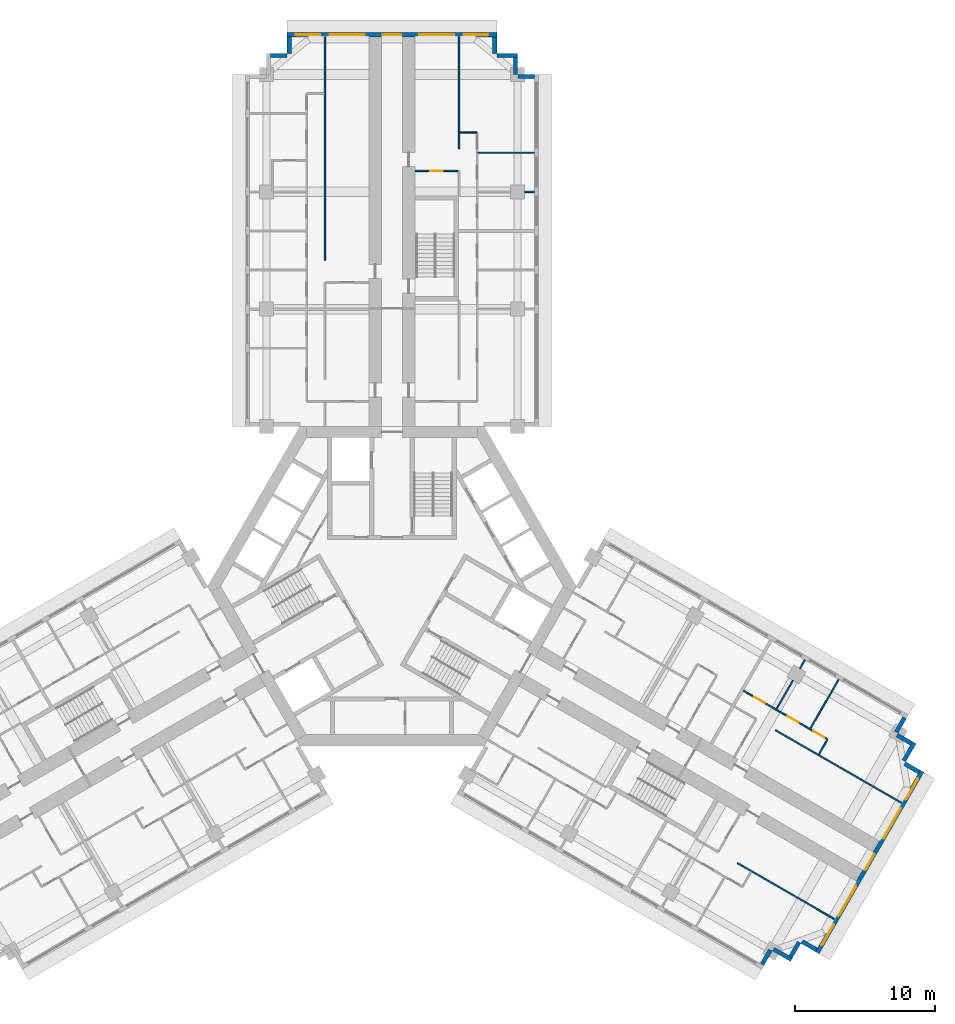
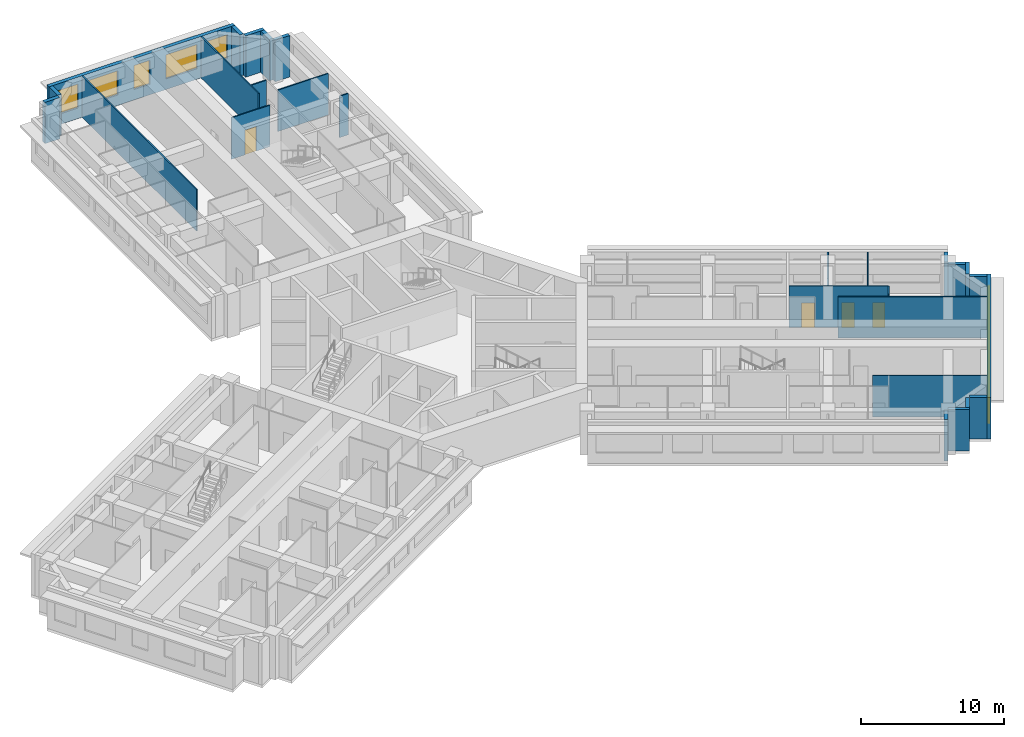
# One storey, part 10 of 12: 29 walls, 10 windows, 4 doors, 14 openings.
"""IFC4 building model written with IfcOpenShell, lengths in metres."""

from ifc_helpers import new_model, si_unit, direction, frame, frame_2d, origin, place, context, subcontext, project, spatial, rectangle, extrude, material, layer, layer_set, type_object, element, fill, save


model = new_model("IFC4")

# Units and contexts
model_context = context("Model", 3, precision=1e-05, world=origin(), true_north=direction((0.0, 1.0)))
body_context = subcontext(model_context, "Body", "Model", "MODEL_VIEW")
ifc_project = project(units=[si_unit("LENGTHUNIT", "METRE"), si_unit("AREAUNIT", "SQUARE_METRE"), si_unit("VOLUMEUNIT", "CUBIC_METRE"), si_unit("PLANEANGLEUNIT", "RADIAN"), si_unit("MASSUNIT", "GRAM", prefix="KILO")], contexts=[model_context])

# Site, building, storey
site_placement = place(None, origin())
site = spatial("IfcSite", under=ifc_project, at=site_placement, CompositionType="ELEMENT")
building_placement = place(site_placement, origin())
building = spatial("IfcBuilding", under=site, at=building_placement, Name="Impinga Residences", CompositionType="ELEMENT")
storey_placement = place(building_placement, frame((0.0, 0.0, 169.75)))
storey = spatial("IfcBuildingStorey", under=building, at=storey_placement, Name="L42", CompositionType="ELEMENT", Elevation=169.75)

# Walls
ifc_material_1 = material(Name="Terracotta rainscreen on blockwork", Category="masonry")
ifc_layer_1 = layer(ifc_material_1, 0.300048828125)
ifc_layer_set_1 = layer_set([ifc_layer_1], Name="EW1 external wall, terracotta rainscreen on blockwork 300")
wall_type_1 = type_object("IfcWallType", Name="EW1 external wall, terracotta rainscreen on blockwork 300", PredefinedType="SOLIDWALL", material=ifc_layer_set_1)
wall_1_placement = place(storey_placement, frame((-8.699951171875, 37.9814453125, 0.0), z_axis=(0.0, 0.0, 1.0), x_axis=(1.0, 0.0, 0.0)))
element("IfcWall", 1, at=wall_1_placement, inside=storey, type_object=wall_type_1, Name="External wall EW1 L42", PredefinedType="SOLIDWALL", context=body_context, shape_type="SweptSolid", body=[
    extrude(rectangle(XDim=1.199951171875, YDim=0.300048828125, at=frame_2d((0.60009765625, 0.0))), origin(), (0.0, 0.0, 1.0), 3.530029296875),
])
wall_2_placement = place(storey_placement, frame((-7.35009765625, 38.136474609375, 0.0), z_axis=(0.0, 0.0, 1.0), x_axis=(0.0, 1.0, 0.0)))
element("IfcWall", 2, at=wall_2_placement, inside=storey, type_object=wall_type_1, Name="External wall EW1 L42", PredefinedType="SOLIDWALL", context=body_context, shape_type="SweptSolid", body=[
    extrude(rectangle(XDim=1.195068359375, YDim=0.300048828125, at=frame_2d((0.59765625, 0.0))), origin(), (0.0, 0.0, 1.0), 3.530029296875),
])

# Wall, openings, windows
wall_3_placement = place(storey_placement, frame((-7.5, 39.4814453125, 0.0), z_axis=(0.0, 0.0, 1.0), x_axis=(1.0, 0.0, 0.0)))
wall_3 = element("IfcWall", 3, at=wall_3_placement, inside=storey, type_object=wall_type_1, Name="External wall EW1 L42", PredefinedType="SOLIDWALL", context=body_context, shape_type="SweptSolid", body=[
    extrude(rectangle(XDim=15.0, YDim=0.300048828125, at=frame_2d((7.5, 0.0))), origin(), (0.0, 0.0, 1.0), 3.530029296875),
])
opening_1_placement = place(wall_3_placement, frame((0.60009765625, 0.0, 0.89990234375)))
opening_1 = element("IfcOpeningElement", 4, at=opening_1_placement, cuts=wall_3, Name="Opening W1", PredefinedType="OPENING", context=body_context, shape_type="SweptSolid", body=[
    extrude(rectangle(XDim=1.75, YDim=2.050048828125, at=frame_2d((0.875, 1.02490234375))), frame((0.0, 0.159912109375, 0.0), z_axis=(0.0, -1.0, 0.0), x_axis=(1.0, 0.0, 0.0)), (0.0, 0.0, 1.0), 0.320068359375),
])
opening_2_placement = place(wall_3_placement, frame((3.050048828125, 0.0, 0.89990234375)))
opening_2 = element("IfcOpeningElement", 5, at=opening_2_placement, cuts=wall_3, Name="Opening W2", PredefinedType="OPENING", context=body_context, shape_type="SweptSolid", body=[
    extrude(rectangle(XDim=2.5, YDim=2.050048828125, at=frame_2d((1.25, 1.02490234375))), frame((0.0, 0.159912109375, 0.0), z_axis=(0.0, -1.0, 0.0), x_axis=(1.0, 0.0, 0.0)), (0.0, 0.0, 1.0), 0.320068359375),
])
opening_3_placement = place(wall_3_placement, frame((6.85009765625, 0.0, 0.89990234375)))
opening_3 = element("IfcOpeningElement", 6, at=opening_3_placement, cuts=wall_3, Name="Opening WE1", PredefinedType="OPENING", context=body_context, shape_type="SweptSolid", body=[
    extrude(rectangle(XDim=1.300048828125, YDim=2.050048828125, at=frame_2d((0.64990234375, 1.02490234375))), frame((0.0, 0.159912109375, 0.0), z_axis=(0.0, -1.0, 0.0), x_axis=(1.0, 0.0, 0.0)), (0.0, 0.0, 1.0), 0.320068359375),
])
opening_4_placement = place(wall_3_placement, frame((9.449951171875, 0.0, 0.89990234375)))
opening_4 = element("IfcOpeningElement", 7, at=opening_4_placement, cuts=wall_3, Name="Opening W2", PredefinedType="OPENING", context=body_context, shape_type="SweptSolid", body=[
    extrude(rectangle(XDim=2.5, YDim=2.050048828125, at=frame_2d((1.25, 1.02490234375))), frame((0.0, 0.159912109375, 0.0), z_axis=(0.0, -1.0, 0.0), x_axis=(1.0, 0.0, 0.0)), (0.0, 0.0, 1.0), 0.320068359375),
])
opening_5_placement = place(wall_3_placement, frame((12.64990234375, 0.0, 0.89990234375)))
opening_5 = element("IfcOpeningElement", 8, at=opening_5_placement, cuts=wall_3, Name="Opening W1", PredefinedType="OPENING", context=body_context, shape_type="SweptSolid", body=[
    extrude(rectangle(XDim=1.75, YDim=2.050048828125, at=frame_2d((0.875, 1.02490234375))), frame((0.0, 0.159912109375, 0.0), z_axis=(0.0, -1.0, 0.0), x_axis=(1.0, 0.0, 0.0)), (0.0, 0.0, 1.0), 0.320068359375),
])
ifc_material_2 = material(Name="Aluminium window, clear double glazing", Category="aluminium")
window_type_1 = type_object("IfcWindowType", Name="W1 ribbon window 1750x2050", PartitioningType="SINGLE_PANEL", PredefinedType="WINDOW", material=ifc_material_2)
window_1_placement = place(opening_1_placement, origin())
window_1 = element("IfcWindow", 9, at=window_1_placement, inside=storey, type_object=window_type_1, Name="Window L42", OverallHeight=2.050048828125, OverallWidth=1.75, PartitioningType="SINGLE_PANEL", PredefinedType="WINDOW", context=body_context, shape_type="SweptSolid", body=[
    extrude(rectangle(XDim=1.75, YDim=2.050048828125, at=frame_2d((0.875, 1.02490234375))), frame((0.0, 0.030029296875, 0.0), z_axis=(0.0, -1.0, 0.0), x_axis=(1.0, 0.0, 0.0)), (0.0, 0.0, 1.0), 0.06005859375),
])
fill(opening_1, window_1)
window_2_placement = place(opening_5_placement, origin())
window_2 = element("IfcWindow", 10, at=window_2_placement, inside=storey, type_object=window_type_1, Name="Window L42", OverallHeight=2.050048828125, OverallWidth=1.75, PartitioningType="SINGLE_PANEL", PredefinedType="WINDOW", context=body_context, shape_type="SweptSolid", body=[
    extrude(rectangle(XDim=1.75, YDim=2.050048828125, at=frame_2d((0.875, 1.02490234375))), frame((0.0, 0.030029296875, 0.0), z_axis=(0.0, -1.0, 0.0), x_axis=(1.0, 0.0, 0.0)), (0.0, 0.0, 1.0), 0.06005859375),
])
fill(opening_5, window_2)
window_type_2 = type_object("IfcWindowType", Name="W2 ribbon window 2500x2050", PartitioningType="SINGLE_PANEL", PredefinedType="WINDOW", material=ifc_material_2)
window_3_placement = place(opening_2_placement, origin())
window_3 = element("IfcWindow", 11, at=window_3_placement, inside=storey, type_object=window_type_2, Name="Window L42", OverallHeight=2.050048828125, OverallWidth=2.5, PartitioningType="SINGLE_PANEL", PredefinedType="WINDOW", context=body_context, shape_type="SweptSolid", body=[
    extrude(rectangle(XDim=2.5, YDim=2.050048828125, at=frame_2d((1.25, 1.02490234375))), frame((0.0, 0.030029296875, 0.0), z_axis=(0.0, -1.0, 0.0), x_axis=(1.0, 0.0, 0.0)), (0.0, 0.0, 1.0), 0.06005859375),
])
fill(opening_2, window_3)
window_4_placement = place(opening_4_placement, origin())
window_4 = element("IfcWindow", 12, at=window_4_placement, inside=storey, type_object=window_type_2, Name="Window L42", OverallHeight=2.050048828125, OverallWidth=2.5, PartitioningType="SINGLE_PANEL", PredefinedType="WINDOW", context=body_context, shape_type="SweptSolid", body=[
    extrude(rectangle(XDim=2.5, YDim=2.050048828125, at=frame_2d((1.25, 1.02490234375))), frame((0.0, 0.030029296875, 0.0), z_axis=(0.0, -1.0, 0.0), x_axis=(1.0, 0.0, 0.0)), (0.0, 0.0, 1.0), 0.06005859375),
])
fill(opening_4, window_4)
window_type_3 = type_object("IfcWindowType", Name="WE1 corridor window 1300x2050", PartitioningType="SINGLE_PANEL", PredefinedType="WINDOW", material=ifc_material_2)
window_5_placement = place(opening_3_placement, origin())
window_5 = element("IfcWindow", 13, at=window_5_placement, inside=storey, type_object=window_type_3, Name="Window L42", OverallHeight=2.050048828125, OverallWidth=1.300048828125, PartitioningType="SINGLE_PANEL", PredefinedType="WINDOW", context=body_context, shape_type="SweptSolid", body=[
    extrude(rectangle(XDim=1.300048828125, YDim=2.050048828125, at=frame_2d((0.64990234375, 1.02490234375))), frame((0.0, 0.030029296875, 0.0), z_axis=(0.0, -1.0, 0.0), x_axis=(1.0, 0.0, 0.0)), (0.0, 0.0, 1.0), 0.06005859375),
])
fill(opening_3, window_5)

# Walls
wall_4_placement = place(storey_placement, frame((7.35009765625, 39.33154296875, 0.0), z_axis=(0.0, 0.0, 1.0), x_axis=(0.0, -1.0, 0.0)))
element("IfcWall", 14, at=wall_4_placement, inside=storey, type_object=wall_type_1, Name="External wall EW1 L42", PredefinedType="SOLIDWALL", context=body_context, shape_type="SweptSolid", body=[
    extrude(rectangle(XDim=1.195068359375, YDim=0.300048828125, at=frame_2d((0.59765625, 0.0))), origin(), (0.0, 0.0, 1.0), 3.530029296875),
])
wall_5_placement = place(storey_placement, frame((7.5, 37.9814453125, 0.0), z_axis=(0.0, 0.0, 1.0), x_axis=(1.0, 0.0, 0.0)))
element("IfcWall", 15, at=wall_5_placement, inside=storey, type_object=wall_type_1, Name="External wall EW1 L42", PredefinedType="SOLIDWALL", context=body_context, shape_type="SweptSolid", body=[
    extrude(rectangle(XDim=1.5, YDim=0.300048828125, at=frame_2d((0.75, 0.0))), origin(), (0.0, 0.0, 1.0), 3.530029296875),
])
wall_6_placement = place(storey_placement, frame((8.85009765625, 37.83154296875, 0.0), z_axis=(0.0, 0.0, 1.0), x_axis=(0.0, -1.0, 0.0)))
element("IfcWall", 16, at=wall_6_placement, inside=storey, type_object=wall_type_1, Name="External wall EW1 L42", PredefinedType="SOLIDWALL", context=body_context, shape_type="SweptSolid", body=[
    extrude(rectangle(XDim=1.199951171875, YDim=0.300048828125, at=frame_2d((0.60009765625, 0.0))), origin(), (0.0, 0.0, 1.0), 3.530029296875),
])
wall_7_placement = place(storey_placement, frame((9.0048828125, 36.4814453125, 0.0), z_axis=(0.0, 0.0, 1.0), x_axis=(1.0, 0.0, 0.0)))
element("IfcWall", 17, at=wall_7_placement, inside=storey, type_object=wall_type_1, Name="External wall EW1 L42", PredefinedType="SOLIDWALL", context=body_context, shape_type="SweptSolid", body=[
    extrude(rectangle(XDim=1.195068359375, YDim=0.300048828125, at=frame_2d((0.59765625, 0.0))), origin(), (0.0, 0.0, 1.0), 3.530029296875),
])
wall_8_placement = place(storey_placement, frame((36.69384765625, -9.4072265625, 0.0), z_axis=(0.0, 0.0, 1.0), x_axis=(-0.499880961361, -0.866094119867, 0.0)))
element("IfcWall", 18, at=wall_8_placement, inside=storey, type_object=wall_type_1, Name="External wall EW1 L42", PredefinedType="SOLIDWALL", context=body_context, shape_type="SweptSolid", body=[
    extrude(rectangle(XDim=1.199951171875, YDim=0.300048828125, at=frame_2d((0.60009765625, 0.0))), origin(), (0.0, 0.0, 1.0), 3.530029296875),
])
wall_9_placement = place(storey_placement, frame((36.153076171875, -10.654052734375, 0.0), z_axis=(0.0, 0.0, 1.0), x_axis=(0.866059708757, -0.499940577336, 0.0)))
element("IfcWall", 19, at=wall_9_placement, inside=storey, type_object=wall_type_1, Name="External wall EW1 L42", PredefinedType="SOLIDWALL", context=body_context, shape_type="SweptSolid", body=[
    extrude(rectangle(XDim=1.195068359375, YDim=0.300048828125, at=frame_2d((0.59765625, 0.0))), origin(), (0.0, 0.0, 1.0), 3.530029296875),
])
wall_10_placement = place(storey_placement, frame((37.39306640625, -11.196533203125, 0.0), z_axis=(0.0, 0.0, 1.0), x_axis=(-0.499990139034, -0.866031096941, 0.0)))
element("IfcWall", 20, at=wall_10_placement, inside=storey, type_object=wall_type_1, Name="External wall EW1 L42", PredefinedType="SOLIDWALL", context=body_context, shape_type="SweptSolid", body=[
    extrude(rectangle(XDim=1.5, YDim=0.300048828125, at=frame_2d((0.75, 0.0))), origin(), (0.0, 0.0, 1.0), 3.530029296875),
])
wall_11_placement = place(storey_placement, frame((36.7021484375, -12.702880859375, 0.0), z_axis=(0.0, 0.0, 1.0), x_axis=(0.865971243484, -0.500093796661, 0.0)))
element("IfcWall", 21, at=wall_11_placement, inside=storey, type_object=wall_type_1, Name="External wall EW1 L42", PredefinedType="SOLIDWALL", context=body_context, shape_type="SweptSolid", body=[
    extrude(rectangle(XDim=1.195068359375, YDim=0.300048828125, at=frame_2d((0.59765625, 0.0))), origin(), (0.0, 0.0, 1.0), 3.530029296875),
])

# Wall, openings, windows
wall_12_placement = place(storey_placement, frame((37.94189453125, -13.24560546875, 0.0), z_axis=(0.0, 0.0, 1.0), x_axis=(-0.500004234368, -0.866022959057, 0.0)))
wall_12 = element("IfcWall", 22, at=wall_12_placement, inside=storey, type_object=wall_type_1, Name="External wall EW1 L42", PredefinedType="SOLIDWALL", context=body_context, shape_type="SweptSolid", body=[
    extrude(rectangle(XDim=14.999755859375, YDim=0.300048828125, at=frame_2d((7.5, 0.0))), origin(), (0.0, 0.0, 1.0), 3.530029296875),
])
opening_6_placement = place(wall_12_placement, frame((0.60009765625, 0.0, 0.89990234375)))
opening_6 = element("IfcOpeningElement", 23, at=opening_6_placement, cuts=wall_12, Name="Opening W1", PredefinedType="OPENING", context=body_context, shape_type="SweptSolid", body=[
    extrude(rectangle(XDim=1.75, YDim=2.050048828125, at=frame_2d((0.875, 1.02490234375))), frame((0.0, 0.159912109375, 0.0), z_axis=(0.0, -1.0, 0.0), x_axis=(1.0, 0.0, 0.0)), (0.0, 0.0, 1.0), 0.320068359375),
])
opening_7_placement = place(wall_12_placement, frame((3.050048828125, 0.0, 0.89990234375)))
opening_7 = element("IfcOpeningElement", 24, at=opening_7_placement, cuts=wall_12, Name="Opening W2", PredefinedType="OPENING", context=body_context, shape_type="SweptSolid", body=[
    extrude(rectangle(XDim=2.5, YDim=2.050048828125, at=frame_2d((1.25, 1.02490234375))), frame((0.0, 0.159912109375, 0.0), z_axis=(0.0, -1.0, 0.0), x_axis=(1.0, 0.0, 0.0)), (0.0, 0.0, 1.0), 0.320068359375),
])
opening_8_placement = place(wall_12_placement, frame((6.85009765625, 0.0, 0.89990234375)))
opening_8 = element("IfcOpeningElement", 25, at=opening_8_placement, cuts=wall_12, Name="Opening W17", PredefinedType="OPENING", context=body_context, shape_type="SweptSolid", body=[
    extrude(rectangle(XDim=1.300048828125, YDim=2.050048828125, at=frame_2d((0.64990234375, 1.02490234375))), frame((0.0, 0.159912109375, 0.0), z_axis=(0.0, -1.0, 0.0), x_axis=(1.0, 0.0, 0.0)), (0.0, 0.0, 1.0), 0.320068359375),
])
opening_9_placement = place(wall_12_placement, frame((9.449951171875, 0.0, 0.89990234375)))
opening_9 = element("IfcOpeningElement", 26, at=opening_9_placement, cuts=wall_12, Name="Opening W2", PredefinedType="OPENING", context=body_context, shape_type="SweptSolid", body=[
    extrude(rectangle(XDim=2.5, YDim=2.050048828125, at=frame_2d((1.25, 1.02490234375))), frame((0.0, 0.159912109375, 0.0), z_axis=(0.0, -1.0, 0.0), x_axis=(1.0, 0.0, 0.0)), (0.0, 0.0, 1.0), 0.320068359375),
])
opening_10_placement = place(wall_12_placement, frame((12.64990234375, 0.0, 0.89990234375)))
opening_10 = element("IfcOpeningElement", 27, at=opening_10_placement, cuts=wall_12, Name="Opening W1", PredefinedType="OPENING", context=body_context, shape_type="SweptSolid", body=[
    extrude(rectangle(XDim=1.75, YDim=2.050048828125, at=frame_2d((0.875, 1.02490234375))), frame((0.0, 0.159912109375, 0.0), z_axis=(0.0, -1.0, 0.0), x_axis=(1.0, 0.0, 0.0)), (0.0, 0.0, 1.0), 0.320068359375),
])
window_6_placement = place(opening_6_placement, origin())
window_6 = element("IfcWindow", 28, at=window_6_placement, inside=storey, type_object=window_type_1, Name="Window L42", OverallHeight=2.050048828125, OverallWidth=1.75, PartitioningType="SINGLE_PANEL", PredefinedType="WINDOW", context=body_context, shape_type="SweptSolid", body=[
    extrude(rectangle(XDim=1.75, YDim=2.050048828125, at=frame_2d((0.875, 1.02490234375))), frame((0.0, 0.030029296875, 0.0), z_axis=(0.0, -1.0, 0.0), x_axis=(1.0, 0.0, 0.0)), (0.0, 0.0, 1.0), 0.06005859375),
])
fill(opening_6, window_6)
window_7_placement = place(opening_10_placement, origin())
window_7 = element("IfcWindow", 29, at=window_7_placement, inside=storey, type_object=window_type_1, Name="Window L42", OverallHeight=2.050048828125, OverallWidth=1.75, PartitioningType="SINGLE_PANEL", PredefinedType="WINDOW", context=body_context, shape_type="SweptSolid", body=[
    extrude(rectangle(XDim=1.75, YDim=2.050048828125, at=frame_2d((0.875, 1.02490234375))), frame((0.0, 0.030029296875, 0.0), z_axis=(0.0, -1.0, 0.0), x_axis=(1.0, 0.0, 0.0)), (0.0, 0.0, 1.0), 0.06005859375),
])
fill(opening_10, window_7)
window_type_4 = type_object("IfcWindowType", Name="W17 ribbon window 1300x2050", PartitioningType="SINGLE_PANEL", PredefinedType="WINDOW", material=ifc_material_2)
window_8_placement = place(opening_8_placement, origin())
window_8 = element("IfcWindow", 30, at=window_8_placement, inside=storey, type_object=window_type_4, Name="Window L42", OverallHeight=2.050048828125, OverallWidth=1.300048828125, PartitioningType="SINGLE_PANEL", PredefinedType="WINDOW", context=body_context, shape_type="SweptSolid", body=[
    extrude(rectangle(XDim=1.300048828125, YDim=2.050048828125, at=frame_2d((0.64990234375, 1.02490234375))), frame((0.0, 0.030029296875, 0.0), z_axis=(0.0, -1.0, 0.0), x_axis=(1.0, 0.0, 0.0)), (0.0, 0.0, 1.0), 0.06005859375),
])
fill(opening_8, window_8)
window_9_placement = place(opening_7_placement, origin())
window_9 = element("IfcWindow", 31, at=window_9_placement, inside=storey, type_object=window_type_2, Name="Window L42", OverallHeight=2.050048828125, OverallWidth=2.5, PartitioningType="SINGLE_PANEL", PredefinedType="WINDOW", context=body_context, shape_type="SweptSolid", body=[
    extrude(rectangle(XDim=2.5, YDim=2.050048828125, at=frame_2d((1.25, 1.02490234375))), frame((0.0, 0.030029296875, 0.0), z_axis=(0.0, -1.0, 0.0), x_axis=(1.0, 0.0, 0.0)), (0.0, 0.0, 1.0), 0.06005859375),
])
fill(opening_7, window_9)
window_10_placement = place(opening_9_placement, origin())
window_10 = element("IfcWindow", 32, at=window_10_placement, inside=storey, type_object=window_type_2, Name="Window L42", OverallHeight=2.050048828125, OverallWidth=2.5, PartitioningType="SINGLE_PANEL", PredefinedType="WINDOW", context=body_context, shape_type="SweptSolid", body=[
    extrude(rectangle(XDim=2.5, YDim=2.050048828125, at=frame_2d((1.25, 1.02490234375))), frame((0.0, 0.030029296875, 0.0), z_axis=(0.0, -1.0, 0.0), x_axis=(1.0, 0.0, 0.0)), (0.0, 0.0, 1.0), 0.06005859375),
])
fill(opening_9, window_10)

# Walls
wall_13_placement = place(storey_placement, frame((30.38720703125, -26.031005859375, 0.0), z_axis=(0.0, 0.0, 1.0), x_axis=(-0.866059708757, 0.499940577336, 0.0)))
element("IfcWall", 33, at=wall_13_placement, inside=storey, type_object=wall_type_1, Name="External wall EW1 L42", PredefinedType="SOLIDWALL", context=body_context, shape_type="SweptSolid", body=[
    extrude(rectangle(XDim=1.195068359375, YDim=0.300048828125, at=frame_2d((0.59765625, 0.0))), origin(), (0.0, 0.0, 1.0), 3.530029296875),
])
wall_14_placement = place(storey_placement, frame((29.14306640625, -25.48583984375, 0.0), z_axis=(0.0, 0.0, 1.0), x_axis=(-0.500033551112, -0.866006032174, 0.0)))
element("IfcWall", 34, at=wall_14_placement, inside=storey, type_object=wall_type_1, Name="External wall EW1 L42", PredefinedType="SOLIDWALL", context=body_context, shape_type="SweptSolid", body=[
    extrude(rectangle(XDim=1.2001953125, YDim=0.300048828125, at=frame_2d((0.60009765625, 0.0))), origin(), (0.0, 0.0, 1.0), 3.530029296875),
])
wall_15_placement = place(storey_placement, frame((28.597900390625, -26.72998046875, 0.0), z_axis=(0.0, 0.0, 1.0), x_axis=(-0.866031096941, 0.499990139034, 0.0)))
element("IfcWall", 35, at=wall_15_placement, inside=storey, type_object=wall_type_1, Name="External wall EW1 L42", PredefinedType="SOLIDWALL", context=body_context, shape_type="SweptSolid", body=[
    extrude(rectangle(XDim=1.5, YDim=0.300048828125, at=frame_2d((0.75, 0.0))), origin(), (0.0, 0.0, 1.0), 3.530029296875),
])
wall_16_placement = place(storey_placement, frame((27.091552734375, -26.039306640625, 0.0), z_axis=(0.0, 0.0, 1.0), x_axis=(-0.500093796661, -0.865971243484, 0.0)))
element("IfcWall", 36, at=wall_16_placement, inside=storey, type_object=wall_type_1, Name="External wall EW1 L42", PredefinedType="SOLIDWALL", context=body_context, shape_type="SweptSolid", body=[
    extrude(rectangle(XDim=1.195068359375, YDim=0.300048828125, at=frame_2d((0.59765625, 0.0))), origin(), (0.0, 0.0, 1.0), 3.530029296875),
])
ifc_material_3 = material(Name="Gypsum board on steel studs", Category="steel")
ifc_layer_2 = layer(ifc_material_3, 0.10009765625)
ifc_layer_set_2 = layer_set([ifc_layer_2], Name="Gypsum board on steel studs")
wall_type_2 = type_object("IfcWallType", Name="IP1 partition 100", PredefinedType="PARTITIONING", material=ifc_layer_set_2)
wall_17_placement = place(storey_placement, frame((-4.800048828125, 23.33154296875, 0.0), z_axis=(0.0, 0.0, 1.0), x_axis=(0.0, 1.0, 0.0)))
element("IfcWall", 37, at=wall_17_placement, inside=storey, type_object=wall_type_2, Name="Partition L42-NA2:DIV1", PredefinedType="PARTITIONING", context=body_context, shape_type="SweptSolid", body=[
    extrude(rectangle(XDim=16.0, YDim=0.10009765625, at=frame_2d((8.0, 0.0))), origin(), (0.0, 0.0, 1.0), 3.530029296875),
])
wall_18_placement = place(storey_placement, frame((4.800048828125, 31.33154296875, 0.0), z_axis=(0.0, 0.0, 1.0), x_axis=(0.0, 1.0, 0.0)))
element("IfcWall", 38, at=wall_18_placement, inside=storey, type_object=wall_type_2, Name="Partition L42-NF2:DIV1", PredefinedType="PARTITIONING", context=body_context, shape_type="SweptSolid", body=[
    extrude(rectangle(XDim=8.0, YDim=0.10009765625, at=frame_2d((4.0, 0.0))), origin(), (0.0, 0.0, 1.0), 3.530029296875),
])
wall_19_placement = place(storey_placement, frame((4.85009765625, 32.4814453125, 0.0), z_axis=(0.0, 0.0, 1.0), x_axis=(1.0, 0.0, 0.0)))
element("IfcWall", 39, at=wall_19_placement, inside=storey, type_object=wall_type_2, Name="Partition L42-NF2:SE1", PredefinedType="PARTITIONING", context=body_context, shape_type="SweptSolid", body=[
    extrude(rectangle(XDim=1.199951171875, YDim=0.10009765625, at=frame_2d((0.60009765625, 0.0))), origin(), (0.0, 0.0, 1.0), 3.530029296875),
])

# Wall, opening, door
wall_20_placement = place(storey_placement, frame((1.64990234375, 29.7314453125, 0.0), z_axis=(0.0, 0.0, 1.0), x_axis=(1.0, 0.0, 0.0)))
wall_20 = element("IfcWall", 40, at=wall_20_placement, inside=storey, type_object=wall_type_2, Name="Partition L42-NF2:IB1", PredefinedType="PARTITIONING", context=body_context, shape_type="SweptSolid", body=[
    extrude(rectangle(XDim=3.10009765625, YDim=0.10009765625, at=frame_2d((1.550048828125, 0.0))), origin(), (0.0, 0.0, 1.0), 3.530029296875),
])
opening_11_placement = place(wall_20_placement, frame((1.10009765625, 0.0, 0.0)))
opening_11 = element("IfcOpeningElement", 41, at=opening_11_placement, cuts=wall_20, Name="Opening D2", PredefinedType="OPENING", context=body_context, shape_type="SweptSolid", body=[
    extrude(rectangle(XDim=0.89990234375, YDim=2.10009765625, at=frame_2d((0.449951171875, 1.050048828125))), frame((0.0, 0.06005859375, 0.0), z_axis=(0.0, -1.0, 0.0), x_axis=(1.0, 0.0, 0.0)), (0.0, 0.0, 1.0), 0.1201171875),
])
ifc_material_4 = material(Name="Timber door set", Category="wood")
door_type = type_object("IfcDoorType", Name="D2 internal door 900x2100", OperationType="SINGLE_SWING_LEFT", PredefinedType="DOOR", material=ifc_material_4)
door_1_placement = place(opening_11_placement, origin())
door_1 = element("IfcDoor", 42, at=door_1_placement, inside=storey, type_object=door_type, Name="Apartment L42-NF2 bathroom door", OperationType="SINGLE_SWING_LEFT", OverallHeight=2.10009765625, OverallWidth=0.89990234375, PredefinedType="DOOR", context=body_context, shape_type="SweptSolid", body=[
    extrude(rectangle(XDim=0.89990234375, YDim=2.10009765625, at=frame_2d((0.449951171875, 1.050048828125))), frame((0.0, 0.02490234375, 0.0), z_axis=(0.0, -1.0, 0.0), x_axis=(1.0, 0.0, 0.0)), (0.0, 0.0, 1.0), 0.050048828125),
])
fill(opening_11, door_1)

# Walls
wall_21_placement = place(storey_placement, frame((9.5, 28.2314453125, 0.0), z_axis=(0.0, 0.0, 1.0), x_axis=(1.0, 0.0, 0.0)))
element("IfcWall", 43, at=wall_21_placement, inside=storey, type_object=wall_type_2, Name="Partition L42-NF2:OB1b", PredefinedType="PARTITIONING", context=body_context, shape_type="SweptSolid", body=[
    extrude(rectangle(XDim=0.699951171875, YDim=0.10009765625, at=frame_2d((0.35009765625, 0.0))), origin(), (0.0, 0.0, 1.0), 3.530029296875),
])
wall_22_placement = place(storey_placement, frame((6.14990234375, 31.031494140625, 0.0), z_axis=(0.0, 0.0, 1.0), x_axis=(1.0, 0.0, 0.0)))
element("IfcWall", 44, at=wall_22_placement, inside=storey, type_object=wall_type_2, Name="Partition L42-NF2:OB2", PredefinedType="PARTITIONING", context=body_context, shape_type="SweptSolid", body=[
    extrude(rectangle(XDim=4.050048828125, YDim=0.10009765625, at=frame_2d((2.02490234375, 0.0))), origin(), (0.0, 0.0, 1.0), 3.530029296875),
])
wall_23_placement = place(storey_placement, frame((27.45556640625, -10.308837890625, 0.0), z_axis=(0.0, 0.0, 1.0), x_axis=(0.866025696342, -0.499999493275, 0.0)))
element("IfcWall", 45, at=wall_23_placement, inside=storey, type_object=wall_type_2, Name="Partition L42-EA3:DIV1", PredefinedType="PARTITIONING", context=body_context, shape_type="SweptSolid", body=[
    extrude(rectangle(XDim=10.39990234375, YDim=0.10009765625, at=frame_2d((5.199951171875, 0.0))), origin(), (0.0, 0.0, 1.0), 3.530029296875),
])

# Wall, openings, doors
wall_24_placement = place(storey_placement, frame((25.160888671875, -7.48291015625, 0.0), z_axis=(0.0, 0.0, 1.0), x_axis=(0.866025305473, -0.500000170281, 0.0)))
wall_24 = element("IfcWall", 46, at=wall_24_placement, inside=storey, type_object=wall_type_2, Name="Partition L42-EA3:STRIP", PredefinedType="PARTITIONING", context=body_context, shape_type="SweptSolid", body=[
    extrude(rectangle(XDim=6.9501953125, YDim=0.10009765625, at=frame_2d((3.47509765625, 0.0))), origin(), (0.0, 0.0, 1.0), 3.530029296875),
])
opening_12_placement = place(wall_24_placement, frame((0.875, 0.0, 0.0)))
opening_12 = element("IfcOpeningElement", 47, at=opening_12_placement, cuts=wall_24, Name="Opening D2", PredefinedType="OPENING", context=body_context, shape_type="SweptSolid", body=[
    extrude(rectangle(XDim=0.89990234375, YDim=2.10009765625, at=frame_2d((0.449951171875, 1.050048828125))), frame((0.0, 0.06005859375, 0.0), z_axis=(0.0, -1.0, 0.0), x_axis=(1.0, 0.0, 0.0)), (0.0, 0.0, 1.0), 0.1201171875),
])
opening_13_placement = place(wall_24_placement, frame((3.64990234375, 0.0, 0.0)))
opening_13 = element("IfcOpeningElement", 48, at=opening_13_placement, cuts=wall_24, Name="Opening D2", PredefinedType="OPENING", context=body_context, shape_type="SweptSolid", body=[
    extrude(rectangle(XDim=0.89990234375, YDim=2.10009765625, at=frame_2d((0.449951171875, 1.050048828125))), frame((0.0, 0.06005859375, 0.0), z_axis=(0.0, -1.0, 0.0), x_axis=(1.0, 0.0, 0.0)), (0.0, 0.0, 1.0), 0.1201171875),
])
opening_14_placement = place(wall_24_placement, frame((5.800048828125, 0.0, 0.0)))
opening_14 = element("IfcOpeningElement", 49, at=opening_14_placement, cuts=wall_24, Name="Opening D2", PredefinedType="OPENING", context=body_context, shape_type="SweptSolid", body=[
    extrude(rectangle(XDim=0.89990234375, YDim=2.10009765625, at=frame_2d((0.449951171875, 1.050048828125))), frame((0.0, 0.06005859375, 0.0), z_axis=(0.0, -1.0, 0.0), x_axis=(1.0, 0.0, 0.0)), (0.0, 0.0, 1.0), 0.1201171875),
])
door_2_placement = place(opening_12_placement, origin())
door_2 = element("IfcDoor", 50, at=door_2_placement, inside=storey, type_object=door_type, Name="Apartment L42-EA3 room door", OperationType="SINGLE_SWING_LEFT", OverallHeight=2.10009765625, OverallWidth=0.89990234375, PredefinedType="DOOR", context=body_context, shape_type="SweptSolid", body=[
    extrude(rectangle(XDim=0.89990234375, YDim=2.10009765625, at=frame_2d((0.449951171875, 1.050048828125))), frame((0.0, 0.02490234375, 0.0), z_axis=(0.0, -1.0, 0.0), x_axis=(1.0, 0.0, 0.0)), (0.0, 0.0, 1.0), 0.050048828125),
])
fill(opening_12, door_2)
door_3_placement = place(opening_13_placement, origin())
door_3 = element("IfcDoor", 51, at=door_3_placement, inside=storey, type_object=door_type, Name="Apartment L42-EA3 room door", OperationType="SINGLE_SWING_RIGHT", OverallHeight=2.10009765625, OverallWidth=0.89990234375, PredefinedType="DOOR", context=body_context, shape_type="SweptSolid", body=[
    extrude(rectangle(XDim=0.89990234375, YDim=2.10009765625, at=frame_2d((0.449951171875, 1.050048828125))), frame((0.0, 0.02490234375, 0.0), z_axis=(0.0, -1.0, 0.0), x_axis=(1.0, 0.0, 0.0)), (0.0, 0.0, 1.0), 0.050048828125),
])
fill(opening_13, door_3)
door_4_placement = place(opening_14_placement, origin())
door_4 = element("IfcDoor", 52, at=door_4_placement, inside=storey, type_object=door_type, Name="Apartment L42-EA3 room door", OperationType="SINGLE_SWING_RIGHT", OverallHeight=2.10009765625, OverallWidth=0.89990234375, PredefinedType="DOOR", context=body_context, shape_type="SweptSolid", body=[
    extrude(rectangle(XDim=0.89990234375, YDim=2.10009765625, at=frame_2d((0.449951171875, 1.050048828125))), frame((0.0, 0.02490234375, 0.0), z_axis=(0.0, -1.0, 0.0), x_axis=(1.0, 0.0, 0.0)), (0.0, 0.0, 1.0), 0.050048828125),
])
fill(opening_14, door_4)

# Walls
wall_25_placement = place(storey_placement, frame((30.554931640625, -12.04052734375, 0.0), z_axis=(0.0, 0.0, 1.0), x_axis=(0.499880961361, 0.866094119867, 0.0)))
element("IfcWall", 53, at=wall_25_placement, inside=storey, type_object=wall_type_2, Name="Partition L42-EA3:SE1", PredefinedType="PARTITIONING", context=body_context, shape_type="SweptSolid", body=[
    extrude(rectangle(XDim=1.199951171875, YDim=0.10009765625, at=frame_2d((0.60009765625, 0.0))), origin(), (0.0, 0.0, 1.0), 3.530029296875),
])
wall_26_placement = place(storey_placement, frame((27.524169921875, -8.789794921875, 0.0), z_axis=(0.0, 0.0, 1.0), x_axis=(0.500016218704, 0.866016039709, 0.0)))
element("IfcWall", 54, at=wall_26_placement, inside=storey, type_object=wall_type_2, Name="Partition L42-EA3:OB1", PredefinedType="PARTITIONING", context=body_context, shape_type="SweptSolid", body=[
    extrude(rectangle(XDim=2.35009765625, YDim=0.10009765625, at=frame_2d((1.175048828125, 0.0))), origin(), (0.0, 0.0, 1.0), 2.47998046875),
])
wall_27_placement = place(storey_placement, frame((29.19921875, -5.888427734375, 0.0), z_axis=(0.0, 0.0, 1.0), x_axis=(0.500114896893, 0.865959057869, 0.0)))
element("IfcWall", 55, at=wall_27_placement, inside=storey, type_object=wall_type_2, Name="Partition L42-EA3:OB1b", PredefinedType="PARTITIONING", context=body_context, shape_type="SweptSolid", body=[
    extrude(rectangle(XDim=0.699951171875, YDim=0.10009765625, at=frame_2d((0.35009765625, 0.0))), origin(), (0.0, 0.0, 1.0), 3.530029296875),
])
wall_28_placement = place(storey_placement, frame((29.94921875, -10.189697265625, 0.0), z_axis=(0.0, 0.0, 1.0), x_axis=(0.499990325971, 0.866030989016, 0.0)))
element("IfcWall", 56, at=wall_28_placement, inside=storey, type_object=wall_type_2, Name="Partition L42-EA3:OB2", PredefinedType="PARTITIONING", context=body_context, shape_type="SweptSolid", body=[
    extrude(rectangle(XDim=4.0498046875, YDim=0.10009765625, at=frame_2d((2.02490234375, 0.0))), origin(), (0.0, 0.0, 1.0), 3.530029296875),
])
wall_29_placement = place(storey_placement, frame((24.73388671875, -19.82275390625, 0.0), z_axis=(0.0, 0.0, 1.0), x_axis=(0.866026010844, -0.49999894854, 0.0)))
element("IfcWall", 57, at=wall_29_placement, inside=storey, type_object=wall_type_2, Name="Partition L42-EF2:DIV1", PredefinedType="PARTITIONING", context=body_context, shape_type="SweptSolid", body=[
    extrude(rectangle(XDim=8.0, YDim=0.10009765625, at=frame_2d((4.0, 0.0))), origin(), (0.0, 0.0, 1.0), 3.530029296875),
])

save(model, "model.ifc")
